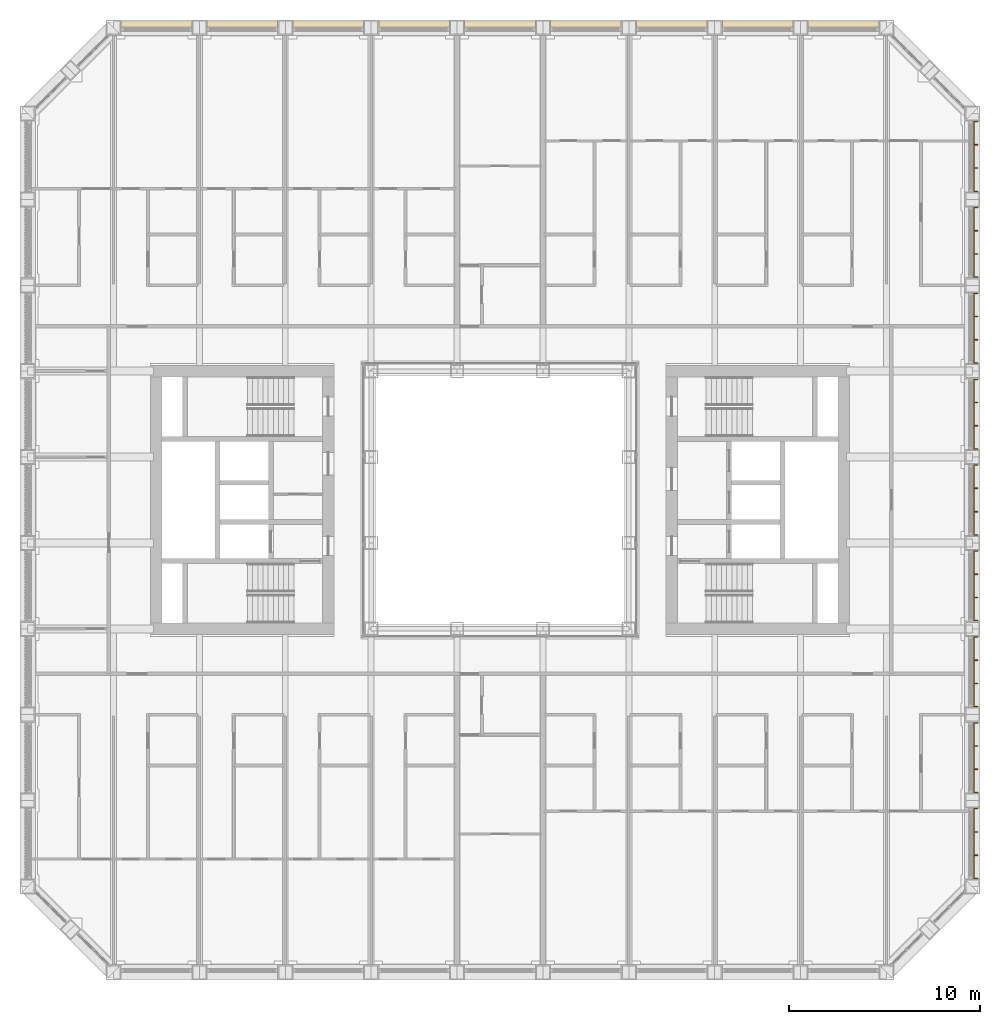
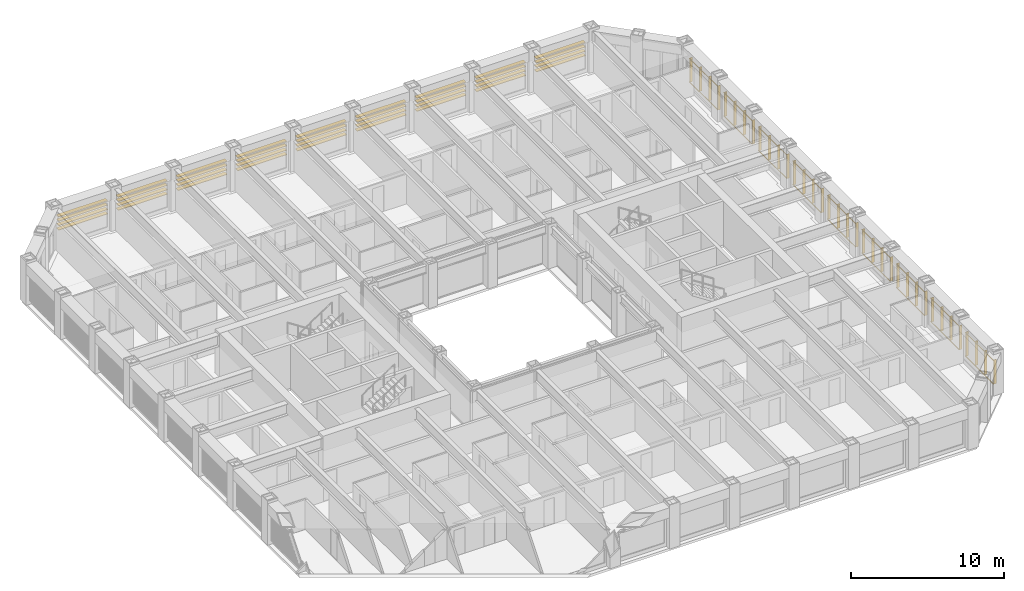
# One storey, part 21 of 21: 2 shading devices.
"""IFC4 building model written with IfcOpenShell, lengths in metres."""

import ifcopenshell
import ifcopenshell.guid

model = None  # the IFC model being written
_history = None  # IfcOwnerHistory: only IFC2X3 demands one
_inside = {}  # id of a spatial element -> (the spatial element, [elements in it])
_under = {}  # id of a project, library or spatial element -> (it, [spatial elements below it])
_declared = {}  # id of a project -> (the project, [libraries it declares])
_typed = {}  # id of a type object -> (the type object, [elements of that type])
_made_of = {}  # id of a material, layer set ... -> (it, [elements and type objects made of it])


def new_model(schema):
    """Start an empty IFC model of exactly this schema.

    Asked for "IFC4X3", IfcOpenShell would pick the latest addendum, in which some entities
    have other attributes; the version numbers below select the first issue.
    IFC2X3 requires an IfcOwnerHistory on every rooted entity: one is made here for all.
    """
    global model, _history
    if schema == "IFC4X3":
        model = ifcopenshell.file(schema_version=(4, 3, 0, 0))
    else:
        model = ifcopenshell.file(schema=schema)
    _inside.clear()
    _under.clear()
    _declared.clear()
    _typed.clear()
    _made_of.clear()
    _history = None
    if model.schema == "IFC2X3":
        org = make("IfcOrganization", Name="unknown")
        user = make(
            "IfcPersonAndOrganization",
            ThePerson=make("IfcPerson", FamilyName="unknown"),
            TheOrganization=org,
        )
        app = make(
            "IfcApplication",
            ApplicationDeveloper=org,
            Version="unknown",
            ApplicationFullName="unknown",
            ApplicationIdentifier="unknown",
        )
        _history = make(
            "IfcOwnerHistory",
            OwningUser=user,
            OwningApplication=app,
            ChangeAction="ADDED",
            CreationDate=0,
        )
    return model


def make(cls, **values):
    """One entity of the class cls with the attributes given. An attribute that is None is left unset."""
    return model.create_entity(
        cls, **{name: value for name, value in values.items() if value is not None}
    )


def rooted(cls, **values):
    """An entity with a GlobalId (a new one), such as an element, a storey or a relation."""
    return make(cls, GlobalId=ifcopenshell.guid.new(), OwnerHistory=_history, **values)


def si_unit(unit_type, name, prefix=None):
    """IfcSIUnit, for example si_unit("LENGTHUNIT", "METRE", prefix="MILLI")."""
    return make("IfcSIUnit", UnitType=unit_type, Prefix=prefix, Name=name)


def assignment(units):
    """IfcUnitAssignment: the units of a project."""
    return None if units is None else make("IfcUnitAssignment", Units=units)


def point(xyz):
    """IfcCartesianPoint."""
    return None if xyz is None else make("IfcCartesianPoint", Coordinates=xyz)


def direction(xyz):
    """IfcDirection."""
    return None if xyz is None else make("IfcDirection", DirectionRatios=xyz)


def frame(location, z_axis=None, x_axis=None):
    """IfcAxis2Placement3D, a coordinate frame: its origin and axes. An axis left out is left unset."""
    return make(
        "IfcAxis2Placement3D",
        Location=point(location),
        Axis=direction(z_axis),
        RefDirection=direction(x_axis),
    )


def frame_2d(location, x_axis=None):
    """IfcAxis2Placement2D, a coordinate frame in the plane: its origin and x axis."""
    return make(
        "IfcAxis2Placement2D", Location=point(location), RefDirection=direction(x_axis)
    )


def origin():
    """The frame at (0, 0, 0) with its axes left unset."""
    return frame((0.0, 0.0, 0.0))


def origin_2d():
    """The frame at (0, 0) in the plane with its x axis left unset."""
    return frame_2d((0.0, 0.0))


def place(relative_to, where):
    """IfcLocalPlacement: puts the frame where relative to a parent placement (None: the world)."""
    return make(
        "IfcLocalPlacement", PlacementRelTo=relative_to, RelativePlacement=where
    )


def context(
    kind, dimensions, precision=None, world=None, true_north=None, identifier=None
):
    """IfcGeometricRepresentationContext, for example the 3D "Model" context."""
    return make(
        "IfcGeometricRepresentationContext",
        ContextIdentifier=identifier,
        ContextType=kind,
        CoordinateSpaceDimension=dimensions,
        Precision=precision,
        WorldCoordinateSystem=world,
        TrueNorth=true_north,
    )


def subcontext(parent, identifier, kind, view, scale=None):
    """IfcGeometricRepresentationSubContext, for example "Body" below "Model"."""
    return make(
        "IfcGeometricRepresentationSubContext",
        ContextIdentifier=identifier,
        ContextType=kind,
        ParentContext=parent,
        TargetScale=scale,
        TargetView=view,
    )


def project(units=None, contexts=None):
    """IfcProject with its units and contexts."""
    return rooted(
        "IfcProject",
        Name="project",
        RepresentationContexts=contexts,
        UnitsInContext=assignment(units),
    )


def spatial(cls, under=None, at=None, **own):
    """A site, building, storey or space (cls), placed at a placement, below another one or the project."""
    s = rooted(cls, ObjectPlacement=at, **own)
    if under is not None:
        _under.setdefault(under.id(), (under, []))[1].append(s)
    return s


def profile(cls, at=None, kind="AREA", **sizes):
    """A parametric profile (cls). Its sizes go by their IFC names, for example OverallWidth=200.0."""
    return make(cls, ProfileType=kind, Position=at, **sizes)


def rectangle(**sizes):
    """IfcRectangleProfileDef."""
    return profile("IfcRectangleProfileDef", **sizes)


def extrude(swept, where, along, depth):
    """IfcExtrudedAreaSolid: the profile swept, set in the frame where, extruded along a direction by depth."""
    return make(
        "IfcExtrudedAreaSolid",
        SweptArea=swept,
        Position=where,
        ExtrudedDirection=direction(along),
        Depth=depth,
    )


def shape(context_of_items, identifier, shape_type, items):
    """IfcShapeRepresentation: the items that make up one representation, for example the "Body"."""
    return make(
        "IfcShapeRepresentation",
        ContextOfItems=context_of_items,
        RepresentationIdentifier=identifier,
        RepresentationType=shape_type,
        Items=items,
    )


def material(Name=None, Category=None):
    """IfcMaterial."""
    return make("IfcMaterial", Name=Name, Category=Category)


def made_of(thing, what):
    """Note that an element or type object is made of a material, layer set ...; save() writes the relation."""
    if what is not None:
        _made_of.setdefault(what.id(), (what, []))[1].append(thing)
    return thing


def type_object(cls, material=None, **own):
    """A type object (cls), such as IfcWallType, which elements share."""
    return made_of(rooted(cls, **own), material)


def element(
    cls,
    number,
    at=None,
    inside=None,
    cuts=None,
    type_object=None,
    material=None,
    context=None,
    identifier="Body",
    shape_type=None,
    held_by="IfcProductDefinitionShape",
    body=None,
    shapes=None,
    **own,
):
    """One element of the class cls, such as IfcWall. Its Tag is "e" and its number.

    at: its placement. inside: the storey or other place that contains it. cuts: it is an
    opening in that element (IfcRelVoidsElement). A single representation is given by context,
    identifier, shape_type and body (its items); several are given by shapes. held_by: the class
    of the entity that holds the representations. save() writes the other relations.
    """
    e = rooted(cls, Tag="e%d" % number, ObjectPlacement=at, **own)
    if body is not None:
        shapes = [shape(context, identifier, shape_type, body)]
    if shapes is not None:
        e.Representation = make(held_by, Representations=shapes)
    if inside is not None:
        _inside.setdefault(inside.id(), (inside, []))[1].append(e)
    if cuts is not None:
        rooted(
            "IfcRelVoidsElement", RelatingBuildingElement=cuts, RelatedOpeningElement=e
        )
    if type_object is not None:
        _typed.setdefault(type_object.id(), (type_object, []))[1].append(e)
    return made_of(e, material)


def aggregate(whole, parts):
    """IfcRelAggregates: a whole, such as a stair, and the parts it consists of."""
    return rooted("IfcRelAggregates", RelatingObject=whole, RelatedObjects=parts)


def save(model, path):
    """Write the relations noted so far, then the file.

    IfcRelAggregates (storeys below a building ...), IfcRelContainedInSpatialStructure (elements
    in a storey), IfcRelDefinesByType, IfcRelAssociatesMaterial and IfcRelDeclares: one each for
    every whole, place, type object, material and project.
    """
    for whole, parts in _under.values():
        aggregate(whole, parts)
    for where, things in _inside.values():
        rooted(
            "IfcRelContainedInSpatialStructure",
            RelatedElements=things,
            RelatingStructure=where,
        )
    for kind, things in _typed.values():
        rooted("IfcRelDefinesByType", RelatedObjects=things, RelatingType=kind)
    for what, things in _made_of.values():
        rooted("IfcRelAssociatesMaterial", RelatedObjects=things, RelatingMaterial=what)
    for by, libraries in _declared.values():
        rooted("IfcRelDeclares", RelatingContext=by, RelatedDefinitions=libraries)
    model.write(path)


model = new_model("IFC4")

# Units and contexts
model_context = context("Model", 3, precision=1e-05, world=origin(), true_north=direction((0.0, 1.0)))
body_context = subcontext(model_context, "Body", "Model", "MODEL_VIEW")
ifc_project = project(units=[si_unit("LENGTHUNIT", "METRE"), si_unit("AREAUNIT", "SQUARE_METRE"), si_unit("VOLUMEUNIT", "CUBIC_METRE"), si_unit("PLANEANGLEUNIT", "RADIAN"), si_unit("MASSUNIT", "GRAM", prefix="KILO")], contexts=[model_context])

# Site, building, storey
site_placement = place(None, origin())
site = spatial("IfcSite", under=ifc_project, at=site_placement, CompositionType="ELEMENT")
building_placement = place(site_placement, origin())
building = spatial("IfcBuilding", under=site, at=building_placement, Name="Msasa Ring Tower", CompositionType="ELEMENT")
storey_placement = place(building_placement, frame((0.0, 0.0, 100.0)))
storey = spatial("IfcBuildingStorey", under=building, at=storey_placement, Name="L26", CompositionType="ELEMENT", Elevation=100.0)

# Shading devices
ifc_material_1 = material(Name="Extruded terracotta on aluminium carriers", Category="masonry")
shading_device_type_1 = type_object("IfcShadingDeviceType", Name="BS2 TERRACOTTA FIN SCREEN 40x200 AT 1350", PredefinedType="USERDEFINED", material=ifc_material_1)
shading_device_1_placement = place(storey_placement, origin())
element("IfcShadingDevice", 1, at=shading_device_1_placement, inside=storey, type_object=shading_device_type_1, Name="Terracotta fin screen E L26", ObjectType="BAGUETTE", PredefinedType="USERDEFINED", context=body_context, shape_type="SweptSolid", body=[
    extrude(rectangle(XDim=0.06005859375, YDim=0.0400390625, at=origin_2d()), frame((24.830078125, -19.85009765625, 0.330078125), z_axis=(0.0, 1.0, 0.0), x_axis=(0.0, 0.0, 1.0)), (0.0, 0.0, 1.0), 3.699951171875),
    extrude(rectangle(XDim=0.06005859375, YDim=0.0400390625, at=origin_2d()), frame((24.830078125, -19.85009765625, 2.198974609375), z_axis=(0.0, 1.0, 0.0), x_axis=(0.0, 0.0, 1.0)), (0.0, 0.0, 1.0), 3.699951171875),
    extrude(rectangle(XDim=0.0400390625, YDim=0.199951171875, at=origin_2d()), frame((24.945068359375, -19.830078125, 0.300048828125), z_axis=(0.0, 0.0, 1.0), x_axis=(0.0, 1.0, 0.0)), (0.0, 0.0, 1.0), 1.928955078125),
    extrude(rectangle(XDim=0.0400390625, YDim=0.199951171875, at=origin_2d()), frame((24.945068359375, -18.610107421875, 0.300048828125), z_axis=(0.0, 0.0, 1.0), x_axis=(0.0, 1.0, 0.0)), (0.0, 0.0, 1.0), 1.928955078125),
    extrude(rectangle(XDim=0.0400390625, YDim=0.199951171875, at=origin_2d()), frame((24.945068359375, -17.389892578125, 0.300048828125), z_axis=(0.0, 0.0, 1.0), x_axis=(0.0, 1.0, 0.0)), (0.0, 0.0, 1.0), 1.928955078125),
    extrude(rectangle(XDim=0.0400390625, YDim=0.199951171875, at=origin_2d()), frame((24.945068359375, -16.169921875, 0.300048828125), z_axis=(0.0, 0.0, 1.0), x_axis=(0.0, 1.0, 0.0)), (0.0, 0.0, 1.0), 1.928955078125),
    extrude(rectangle(XDim=0.06005859375, YDim=0.0400390625, at=origin_2d()), frame((24.830078125, -15.35009765625, 0.330078125), z_axis=(0.0, 1.0, 0.0), x_axis=(0.0, 0.0, 1.0)), (0.0, 0.0, 1.0), 3.699951171875),
    extrude(rectangle(XDim=0.06005859375, YDim=0.0400390625, at=origin_2d()), frame((24.830078125, -15.35009765625, 2.198974609375), z_axis=(0.0, 1.0, 0.0), x_axis=(0.0, 0.0, 1.0)), (0.0, 0.0, 1.0), 3.699951171875),
    extrude(rectangle(XDim=0.0400390625, YDim=0.199951171875, at=origin_2d()), frame((24.945068359375, -15.330078125, 0.300048828125), z_axis=(0.0, 0.0, 1.0), x_axis=(0.0, 1.0, 0.0)), (0.0, 0.0, 1.0), 1.928955078125),
    extrude(rectangle(XDim=0.0400390625, YDim=0.199951171875, at=origin_2d()), frame((24.945068359375, -14.110107421875, 0.300048828125), z_axis=(0.0, 0.0, 1.0), x_axis=(0.0, 1.0, 0.0)), (0.0, 0.0, 1.0), 1.928955078125),
    extrude(rectangle(XDim=0.0400390625, YDim=0.199951171875, at=origin_2d()), frame((24.945068359375, -12.889892578125, 0.300048828125), z_axis=(0.0, 0.0, 1.0), x_axis=(0.0, 1.0, 0.0)), (0.0, 0.0, 1.0), 1.928955078125),
    extrude(rectangle(XDim=0.0400390625, YDim=0.199951171875, at=origin_2d()), frame((24.945068359375, -11.669921875, 0.300048828125), z_axis=(0.0, 0.0, 1.0), x_axis=(0.0, 1.0, 0.0)), (0.0, 0.0, 1.0), 1.928955078125),
    extrude(rectangle(XDim=0.06005859375, YDim=0.0400390625, at=origin_2d()), frame((24.830078125, -10.85009765625, 0.330078125), z_axis=(0.0, 1.0, 0.0), x_axis=(0.0, 0.0, 1.0)), (0.0, 0.0, 1.0), 3.699951171875),
    extrude(rectangle(XDim=0.06005859375, YDim=0.0400390625, at=origin_2d()), frame((24.830078125, -10.85009765625, 2.198974609375), z_axis=(0.0, 1.0, 0.0), x_axis=(0.0, 0.0, 1.0)), (0.0, 0.0, 1.0), 3.699951171875),
    extrude(rectangle(XDim=0.0400390625, YDim=0.199951171875, at=origin_2d()), frame((24.945068359375, -10.830078125, 0.300048828125), z_axis=(0.0, 0.0, 1.0), x_axis=(0.0, 1.0, 0.0)), (0.0, 0.0, 1.0), 1.928955078125),
    extrude(rectangle(XDim=0.0400390625, YDim=0.199951171875, at=origin_2d()), frame((24.945068359375, -9.610107421875, 0.300048828125), z_axis=(0.0, 0.0, 1.0), x_axis=(0.0, 1.0, 0.0)), (0.0, 0.0, 1.0), 1.928955078125),
    extrude(rectangle(XDim=0.0400390625, YDim=0.199951171875, at=origin_2d()), frame((24.945068359375, -8.389892578125, 0.300048828125), z_axis=(0.0, 0.0, 1.0), x_axis=(0.0, 1.0, 0.0)), (0.0, 0.0, 1.0), 1.928955078125),
    extrude(rectangle(XDim=0.0400390625, YDim=0.199951171875, at=origin_2d()), frame((24.945068359375, -7.169921875, 0.300048828125), z_axis=(0.0, 0.0, 1.0), x_axis=(0.0, 1.0, 0.0)), (0.0, 0.0, 1.0), 1.928955078125),
    extrude(rectangle(XDim=0.06005859375, YDim=0.0400390625, at=origin_2d()), frame((24.830078125, -6.35009765625, 0.330078125), z_axis=(0.0, 1.0, 0.0), x_axis=(0.0, 0.0, 1.0)), (0.0, 0.0, 1.0), 3.699951171875),
    extrude(rectangle(XDim=0.06005859375, YDim=0.0400390625, at=origin_2d()), frame((24.830078125, -6.35009765625, 2.198974609375), z_axis=(0.0, 1.0, 0.0), x_axis=(0.0, 0.0, 1.0)), (0.0, 0.0, 1.0), 3.699951171875),
    extrude(rectangle(XDim=0.0400390625, YDim=0.199951171875, at=origin_2d()), frame((24.945068359375, -6.330078125, 0.300048828125), z_axis=(0.0, 0.0, 1.0), x_axis=(0.0, 1.0, 0.0)), (0.0, 0.0, 1.0), 1.928955078125),
    extrude(rectangle(XDim=0.0400390625, YDim=0.199951171875, at=origin_2d()), frame((24.945068359375, -5.110107421875, 0.300048828125), z_axis=(0.0, 0.0, 1.0), x_axis=(0.0, 1.0, 0.0)), (0.0, 0.0, 1.0), 1.928955078125),
    extrude(rectangle(XDim=0.0400390625, YDim=0.199951171875, at=origin_2d()), frame((24.945068359375, -3.889892578125, 0.300048828125), z_axis=(0.0, 0.0, 1.0), x_axis=(0.0, 1.0, 0.0)), (0.0, 0.0, 1.0), 1.928955078125),
    extrude(rectangle(XDim=0.0400390625, YDim=0.199951171875, at=origin_2d()), frame((24.945068359375, -2.669921875, 0.300048828125), z_axis=(0.0, 0.0, 1.0), x_axis=(0.0, 1.0, 0.0)), (0.0, 0.0, 1.0), 1.928955078125),
    extrude(rectangle(XDim=0.06005859375, YDim=0.0400390625, at=origin_2d()), frame((24.830078125, -1.85009765625, 0.330078125), z_axis=(0.0, 1.0, 0.0), x_axis=(0.0, 0.0, 1.0)), (0.0, 0.0, 1.0), 3.699951171875),
    extrude(rectangle(XDim=0.06005859375, YDim=0.0400390625, at=origin_2d()), frame((24.830078125, -1.85009765625, 2.198974609375), z_axis=(0.0, 1.0, 0.0), x_axis=(0.0, 0.0, 1.0)), (0.0, 0.0, 1.0), 3.699951171875),
    extrude(rectangle(XDim=0.0400390625, YDim=0.199951171875, at=origin_2d()), frame((24.945068359375, -1.830078125, 0.300048828125), z_axis=(0.0, 0.0, 1.0), x_axis=(0.0, 1.0, 0.0)), (0.0, 0.0, 1.0), 1.928955078125),
    extrude(rectangle(XDim=0.0400390625, YDim=0.199951171875, at=origin_2d()), frame((24.945068359375, -0.610107421875, 0.300048828125), z_axis=(0.0, 0.0, 1.0), x_axis=(0.0, 1.0, 0.0)), (0.0, 0.0, 1.0), 1.928955078125),
    extrude(rectangle(XDim=0.0400390625, YDim=0.199951171875, at=origin_2d()), frame((24.945068359375, 0.610107421875, 0.300048828125), z_axis=(0.0, 0.0, 1.0), x_axis=(0.0, 1.0, 0.0)), (0.0, 0.0, 1.0), 1.928955078125),
    extrude(rectangle(XDim=0.0400390625, YDim=0.199951171875, at=origin_2d()), frame((24.945068359375, 1.830078125, 0.300048828125), z_axis=(0.0, 0.0, 1.0), x_axis=(0.0, 1.0, 0.0)), (0.0, 0.0, 1.0), 1.928955078125),
    extrude(rectangle(XDim=0.06005859375, YDim=0.0400390625, at=origin_2d()), frame((24.830078125, 2.64990234375, 0.330078125), z_axis=(0.0, 1.0, 0.0), x_axis=(0.0, 0.0, 1.0)), (0.0, 0.0, 1.0), 3.699951171875),
    extrude(rectangle(XDim=0.06005859375, YDim=0.0400390625, at=origin_2d()), frame((24.830078125, 2.64990234375, 2.198974609375), z_axis=(0.0, 1.0, 0.0), x_axis=(0.0, 0.0, 1.0)), (0.0, 0.0, 1.0), 3.699951171875),
    extrude(rectangle(XDim=0.0400390625, YDim=0.199951171875, at=origin_2d()), frame((24.945068359375, 2.669921875, 0.300048828125), z_axis=(0.0, 0.0, 1.0), x_axis=(0.0, 1.0, 0.0)), (0.0, 0.0, 1.0), 1.928955078125),
    extrude(rectangle(XDim=0.0400390625, YDim=0.199951171875, at=origin_2d()), frame((24.945068359375, 3.889892578125, 0.300048828125), z_axis=(0.0, 0.0, 1.0), x_axis=(0.0, 1.0, 0.0)), (0.0, 0.0, 1.0), 1.928955078125),
    extrude(rectangle(XDim=0.0400390625, YDim=0.199951171875, at=origin_2d()), frame((24.945068359375, 5.110107421875, 0.300048828125), z_axis=(0.0, 0.0, 1.0), x_axis=(0.0, 1.0, 0.0)), (0.0, 0.0, 1.0), 1.928955078125),
    extrude(rectangle(XDim=0.0400390625, YDim=0.199951171875, at=origin_2d()), frame((24.945068359375, 6.330078125, 0.300048828125), z_axis=(0.0, 0.0, 1.0), x_axis=(0.0, 1.0, 0.0)), (0.0, 0.0, 1.0), 1.928955078125),
    extrude(rectangle(XDim=0.06005859375, YDim=0.0400390625, at=origin_2d()), frame((24.830078125, 7.14990234375, 0.330078125), z_axis=(0.0, 1.0, 0.0), x_axis=(0.0, 0.0, 1.0)), (0.0, 0.0, 1.0), 3.699951171875),
    extrude(rectangle(XDim=0.06005859375, YDim=0.0400390625, at=origin_2d()), frame((24.830078125, 7.14990234375, 2.198974609375), z_axis=(0.0, 1.0, 0.0), x_axis=(0.0, 0.0, 1.0)), (0.0, 0.0, 1.0), 3.699951171875),
    extrude(rectangle(XDim=0.0400390625, YDim=0.199951171875, at=origin_2d()), frame((24.945068359375, 7.169921875, 0.300048828125), z_axis=(0.0, 0.0, 1.0), x_axis=(0.0, 1.0, 0.0)), (0.0, 0.0, 1.0), 1.928955078125),
    extrude(rectangle(XDim=0.0400390625, YDim=0.199951171875, at=origin_2d()), frame((24.945068359375, 8.389892578125, 0.300048828125), z_axis=(0.0, 0.0, 1.0), x_axis=(0.0, 1.0, 0.0)), (0.0, 0.0, 1.0), 1.928955078125),
    extrude(rectangle(XDim=0.0400390625, YDim=0.199951171875, at=origin_2d()), frame((24.945068359375, 9.610107421875, 0.300048828125), z_axis=(0.0, 0.0, 1.0), x_axis=(0.0, 1.0, 0.0)), (0.0, 0.0, 1.0), 1.928955078125),
    extrude(rectangle(XDim=0.0400390625, YDim=0.199951171875, at=origin_2d()), frame((24.945068359375, 10.830078125, 0.300048828125), z_axis=(0.0, 0.0, 1.0), x_axis=(0.0, 1.0, 0.0)), (0.0, 0.0, 1.0), 1.928955078125),
    extrude(rectangle(XDim=0.06005859375, YDim=0.0400390625, at=origin_2d()), frame((24.830078125, 11.64990234375, 0.330078125), z_axis=(0.0, 1.0, 0.0), x_axis=(0.0, 0.0, 1.0)), (0.0, 0.0, 1.0), 3.699951171875),
    extrude(rectangle(XDim=0.06005859375, YDim=0.0400390625, at=origin_2d()), frame((24.830078125, 11.64990234375, 2.198974609375), z_axis=(0.0, 1.0, 0.0), x_axis=(0.0, 0.0, 1.0)), (0.0, 0.0, 1.0), 3.699951171875),
    extrude(rectangle(XDim=0.0400390625, YDim=0.199951171875, at=origin_2d()), frame((24.945068359375, 11.669921875, 0.300048828125), z_axis=(0.0, 0.0, 1.0), x_axis=(0.0, 1.0, 0.0)), (0.0, 0.0, 1.0), 1.928955078125),
    extrude(rectangle(XDim=0.0400390625, YDim=0.199951171875, at=origin_2d()), frame((24.945068359375, 12.889892578125, 0.300048828125), z_axis=(0.0, 0.0, 1.0), x_axis=(0.0, 1.0, 0.0)), (0.0, 0.0, 1.0), 1.928955078125),
    extrude(rectangle(XDim=0.0400390625, YDim=0.199951171875, at=origin_2d()), frame((24.945068359375, 14.110107421875, 0.300048828125), z_axis=(0.0, 0.0, 1.0), x_axis=(0.0, 1.0, 0.0)), (0.0, 0.0, 1.0), 1.928955078125),
    extrude(rectangle(XDim=0.0400390625, YDim=0.199951171875, at=origin_2d()), frame((24.945068359375, 15.330078125, 0.300048828125), z_axis=(0.0, 0.0, 1.0), x_axis=(0.0, 1.0, 0.0)), (0.0, 0.0, 1.0), 1.928955078125),
    extrude(rectangle(XDim=0.06005859375, YDim=0.0400390625, at=origin_2d()), frame((24.830078125, 16.14990234375, 0.330078125), z_axis=(0.0, 1.0, 0.0), x_axis=(0.0, 0.0, 1.0)), (0.0, 0.0, 1.0), 3.699951171875),
    extrude(rectangle(XDim=0.06005859375, YDim=0.0400390625, at=origin_2d()), frame((24.830078125, 16.14990234375, 2.198974609375), z_axis=(0.0, 1.0, 0.0), x_axis=(0.0, 0.0, 1.0)), (0.0, 0.0, 1.0), 3.699951171875),
    extrude(rectangle(XDim=0.0400390625, YDim=0.199951171875, at=origin_2d()), frame((24.945068359375, 16.169921875, 0.300048828125), z_axis=(0.0, 0.0, 1.0), x_axis=(0.0, 1.0, 0.0)), (0.0, 0.0, 1.0), 1.928955078125),
    extrude(rectangle(XDim=0.0400390625, YDim=0.199951171875, at=origin_2d()), frame((24.945068359375, 17.389892578125, 0.300048828125), z_axis=(0.0, 0.0, 1.0), x_axis=(0.0, 1.0, 0.0)), (0.0, 0.0, 1.0), 1.928955078125),
    extrude(rectangle(XDim=0.0400390625, YDim=0.199951171875, at=origin_2d()), frame((24.945068359375, 18.610107421875, 0.300048828125), z_axis=(0.0, 0.0, 1.0), x_axis=(0.0, 1.0, 0.0)), (0.0, 0.0, 1.0), 1.928955078125),
    extrude(rectangle(XDim=0.0400390625, YDim=0.199951171875, at=origin_2d()), frame((24.945068359375, 19.830078125, 0.300048828125), z_axis=(0.0, 0.0, 1.0), x_axis=(0.0, 1.0, 0.0)), (0.0, 0.0, 1.0), 1.928955078125),
])
ifc_material_2 = material(Name="Extruded terracotta blades", Category="masonry")
shading_device_type_2 = type_object("IfcShadingDeviceType", Name="SS1 TERRACOTTA SUNSHADE 4 BLADES 300x40 AT 350", PredefinedType="USERDEFINED", material=ifc_material_2)
shading_device_2_placement = place(storey_placement, origin())
element("IfcShadingDevice", 2, at=shading_device_2_placement, inside=storey, type_object=shading_device_type_2, Name="Terracotta sunshade N L26", ObjectType="SUNSHADE", PredefinedType="USERDEFINED", context=body_context, shape_type="SweptSolid", body=[
    extrude(rectangle(XDim=0.0400390625, YDim=0.300048828125, at=origin_2d()), frame((-19.85009765625, 24.929931640625, 2.208984375), z_axis=(1.0, 0.0, 0.0), x_axis=(0.0, 0.0, 1.0)), (0.0, 0.0, 1.0), 3.699951171875),
    extrude(rectangle(XDim=0.0400390625, YDim=0.300048828125, at=origin_2d()), frame((-19.85009765625, 24.929931640625, 1.85888671875), z_axis=(1.0, 0.0, 0.0), x_axis=(0.0, 0.0, 1.0)), (0.0, 0.0, 1.0), 3.699951171875),
    extrude(rectangle(XDim=0.0400390625, YDim=0.300048828125, at=origin_2d()), frame((-19.85009765625, 24.929931640625, 1.509033203125), z_axis=(1.0, 0.0, 0.0), x_axis=(0.0, 0.0, 1.0)), (0.0, 0.0, 1.0), 3.699951171875),
    extrude(rectangle(XDim=0.0400390625, YDim=0.300048828125, at=origin_2d()), frame((-19.85009765625, 24.929931640625, 1.158935546875), z_axis=(1.0, 0.0, 0.0), x_axis=(0.0, 0.0, 1.0)), (0.0, 0.0, 1.0), 3.699951171875),
    extrude(rectangle(XDim=0.0400390625, YDim=0.300048828125, at=origin_2d()), frame((-15.35009765625, 24.929931640625, 2.208984375), z_axis=(1.0, 0.0, 0.0), x_axis=(0.0, 0.0, 1.0)), (0.0, 0.0, 1.0), 3.699951171875),
    extrude(rectangle(XDim=0.0400390625, YDim=0.300048828125, at=origin_2d()), frame((-15.35009765625, 24.929931640625, 1.85888671875), z_axis=(1.0, 0.0, 0.0), x_axis=(0.0, 0.0, 1.0)), (0.0, 0.0, 1.0), 3.699951171875),
    extrude(rectangle(XDim=0.0400390625, YDim=0.300048828125, at=origin_2d()), frame((-15.35009765625, 24.929931640625, 1.509033203125), z_axis=(1.0, 0.0, 0.0), x_axis=(0.0, 0.0, 1.0)), (0.0, 0.0, 1.0), 3.699951171875),
    extrude(rectangle(XDim=0.0400390625, YDim=0.300048828125, at=origin_2d()), frame((-15.35009765625, 24.929931640625, 1.158935546875), z_axis=(1.0, 0.0, 0.0), x_axis=(0.0, 0.0, 1.0)), (0.0, 0.0, 1.0), 3.699951171875),
    extrude(rectangle(XDim=0.0400390625, YDim=0.300048828125, at=origin_2d()), frame((-10.85009765625, 24.929931640625, 2.208984375), z_axis=(1.0, 0.0, 0.0), x_axis=(0.0, 0.0, 1.0)), (0.0, 0.0, 1.0), 3.699951171875),
    extrude(rectangle(XDim=0.0400390625, YDim=0.300048828125, at=origin_2d()), frame((-10.85009765625, 24.929931640625, 1.85888671875), z_axis=(1.0, 0.0, 0.0), x_axis=(0.0, 0.0, 1.0)), (0.0, 0.0, 1.0), 3.699951171875),
    extrude(rectangle(XDim=0.0400390625, YDim=0.300048828125, at=origin_2d()), frame((-10.85009765625, 24.929931640625, 1.509033203125), z_axis=(1.0, 0.0, 0.0), x_axis=(0.0, 0.0, 1.0)), (0.0, 0.0, 1.0), 3.699951171875),
    extrude(rectangle(XDim=0.0400390625, YDim=0.300048828125, at=origin_2d()), frame((-10.85009765625, 24.929931640625, 1.158935546875), z_axis=(1.0, 0.0, 0.0), x_axis=(0.0, 0.0, 1.0)), (0.0, 0.0, 1.0), 3.699951171875),
    extrude(rectangle(XDim=0.0400390625, YDim=0.300048828125, at=origin_2d()), frame((-6.35009765625, 24.929931640625, 2.208984375), z_axis=(1.0, 0.0, 0.0), x_axis=(0.0, 0.0, 1.0)), (0.0, 0.0, 1.0), 3.699951171875),
    extrude(rectangle(XDim=0.0400390625, YDim=0.300048828125, at=origin_2d()), frame((-6.35009765625, 24.929931640625, 1.85888671875), z_axis=(1.0, 0.0, 0.0), x_axis=(0.0, 0.0, 1.0)), (0.0, 0.0, 1.0), 3.699951171875),
    extrude(rectangle(XDim=0.0400390625, YDim=0.300048828125, at=origin_2d()), frame((-6.35009765625, 24.929931640625, 1.509033203125), z_axis=(1.0, 0.0, 0.0), x_axis=(0.0, 0.0, 1.0)), (0.0, 0.0, 1.0), 3.699951171875),
    extrude(rectangle(XDim=0.0400390625, YDim=0.300048828125, at=origin_2d()), frame((-6.35009765625, 24.929931640625, 1.158935546875), z_axis=(1.0, 0.0, 0.0), x_axis=(0.0, 0.0, 1.0)), (0.0, 0.0, 1.0), 3.699951171875),
    extrude(rectangle(XDim=0.0400390625, YDim=0.300048828125, at=origin_2d()), frame((-1.85009765625, 24.929931640625, 2.208984375), z_axis=(1.0, 0.0, 0.0), x_axis=(0.0, 0.0, 1.0)), (0.0, 0.0, 1.0), 3.699951171875),
    extrude(rectangle(XDim=0.0400390625, YDim=0.300048828125, at=origin_2d()), frame((-1.85009765625, 24.929931640625, 1.85888671875), z_axis=(1.0, 0.0, 0.0), x_axis=(0.0, 0.0, 1.0)), (0.0, 0.0, 1.0), 3.699951171875),
    extrude(rectangle(XDim=0.0400390625, YDim=0.300048828125, at=origin_2d()), frame((-1.85009765625, 24.929931640625, 1.509033203125), z_axis=(1.0, 0.0, 0.0), x_axis=(0.0, 0.0, 1.0)), (0.0, 0.0, 1.0), 3.699951171875),
    extrude(rectangle(XDim=0.0400390625, YDim=0.300048828125, at=origin_2d()), frame((-1.85009765625, 24.929931640625, 1.158935546875), z_axis=(1.0, 0.0, 0.0), x_axis=(0.0, 0.0, 1.0)), (0.0, 0.0, 1.0), 3.699951171875),
    extrude(rectangle(XDim=0.0400390625, YDim=0.300048828125, at=origin_2d()), frame((2.64990234375, 24.929931640625, 2.208984375), z_axis=(1.0, 0.0, 0.0), x_axis=(0.0, 0.0, 1.0)), (0.0, 0.0, 1.0), 3.699951171875),
    extrude(rectangle(XDim=0.0400390625, YDim=0.300048828125, at=origin_2d()), frame((2.64990234375, 24.929931640625, 1.85888671875), z_axis=(1.0, 0.0, 0.0), x_axis=(0.0, 0.0, 1.0)), (0.0, 0.0, 1.0), 3.699951171875),
    extrude(rectangle(XDim=0.0400390625, YDim=0.300048828125, at=origin_2d()), frame((2.64990234375, 24.929931640625, 1.509033203125), z_axis=(1.0, 0.0, 0.0), x_axis=(0.0, 0.0, 1.0)), (0.0, 0.0, 1.0), 3.699951171875),
    extrude(rectangle(XDim=0.0400390625, YDim=0.300048828125, at=origin_2d()), frame((2.64990234375, 24.929931640625, 1.158935546875), z_axis=(1.0, 0.0, 0.0), x_axis=(0.0, 0.0, 1.0)), (0.0, 0.0, 1.0), 3.699951171875),
    extrude(rectangle(XDim=0.0400390625, YDim=0.300048828125, at=origin_2d()), frame((7.14990234375, 24.929931640625, 2.208984375), z_axis=(1.0, 0.0, 0.0), x_axis=(0.0, 0.0, 1.0)), (0.0, 0.0, 1.0), 3.699951171875),
    extrude(rectangle(XDim=0.0400390625, YDim=0.300048828125, at=origin_2d()), frame((7.14990234375, 24.929931640625, 1.85888671875), z_axis=(1.0, 0.0, 0.0), x_axis=(0.0, 0.0, 1.0)), (0.0, 0.0, 1.0), 3.699951171875),
    extrude(rectangle(XDim=0.0400390625, YDim=0.300048828125, at=origin_2d()), frame((7.14990234375, 24.929931640625, 1.509033203125), z_axis=(1.0, 0.0, 0.0), x_axis=(0.0, 0.0, 1.0)), (0.0, 0.0, 1.0), 3.699951171875),
    extrude(rectangle(XDim=0.0400390625, YDim=0.300048828125, at=origin_2d()), frame((7.14990234375, 24.929931640625, 1.158935546875), z_axis=(1.0, 0.0, 0.0), x_axis=(0.0, 0.0, 1.0)), (0.0, 0.0, 1.0), 3.699951171875),
    extrude(rectangle(XDim=0.0400390625, YDim=0.300048828125, at=origin_2d()), frame((11.64990234375, 24.929931640625, 2.208984375), z_axis=(1.0, 0.0, 0.0), x_axis=(0.0, 0.0, 1.0)), (0.0, 0.0, 1.0), 3.699951171875),
    extrude(rectangle(XDim=0.0400390625, YDim=0.300048828125, at=origin_2d()), frame((11.64990234375, 24.929931640625, 1.85888671875), z_axis=(1.0, 0.0, 0.0), x_axis=(0.0, 0.0, 1.0)), (0.0, 0.0, 1.0), 3.699951171875),
    extrude(rectangle(XDim=0.0400390625, YDim=0.300048828125, at=origin_2d()), frame((11.64990234375, 24.929931640625, 1.509033203125), z_axis=(1.0, 0.0, 0.0), x_axis=(0.0, 0.0, 1.0)), (0.0, 0.0, 1.0), 3.699951171875),
    extrude(rectangle(XDim=0.0400390625, YDim=0.300048828125, at=origin_2d()), frame((11.64990234375, 24.929931640625, 1.158935546875), z_axis=(1.0, 0.0, 0.0), x_axis=(0.0, 0.0, 1.0)), (0.0, 0.0, 1.0), 3.699951171875),
    extrude(rectangle(XDim=0.0400390625, YDim=0.300048828125, at=origin_2d()), frame((16.14990234375, 24.929931640625, 2.208984375), z_axis=(1.0, 0.0, 0.0), x_axis=(0.0, 0.0, 1.0)), (0.0, 0.0, 1.0), 3.699951171875),
    extrude(rectangle(XDim=0.0400390625, YDim=0.300048828125, at=origin_2d()), frame((16.14990234375, 24.929931640625, 1.85888671875), z_axis=(1.0, 0.0, 0.0), x_axis=(0.0, 0.0, 1.0)), (0.0, 0.0, 1.0), 3.699951171875),
    extrude(rectangle(XDim=0.0400390625, YDim=0.300048828125, at=origin_2d()), frame((16.14990234375, 24.929931640625, 1.509033203125), z_axis=(1.0, 0.0, 0.0), x_axis=(0.0, 0.0, 1.0)), (0.0, 0.0, 1.0), 3.699951171875),
    extrude(rectangle(XDim=0.0400390625, YDim=0.300048828125, at=origin_2d()), frame((16.14990234375, 24.929931640625, 1.158935546875), z_axis=(1.0, 0.0, 0.0), x_axis=(0.0, 0.0, 1.0)), (0.0, 0.0, 1.0), 3.699951171875),
])

save(model, "model.ifc")
